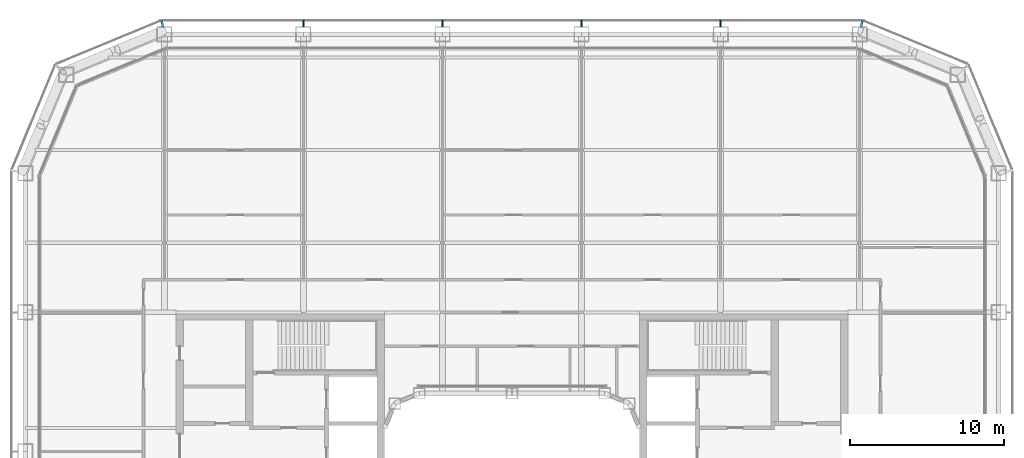
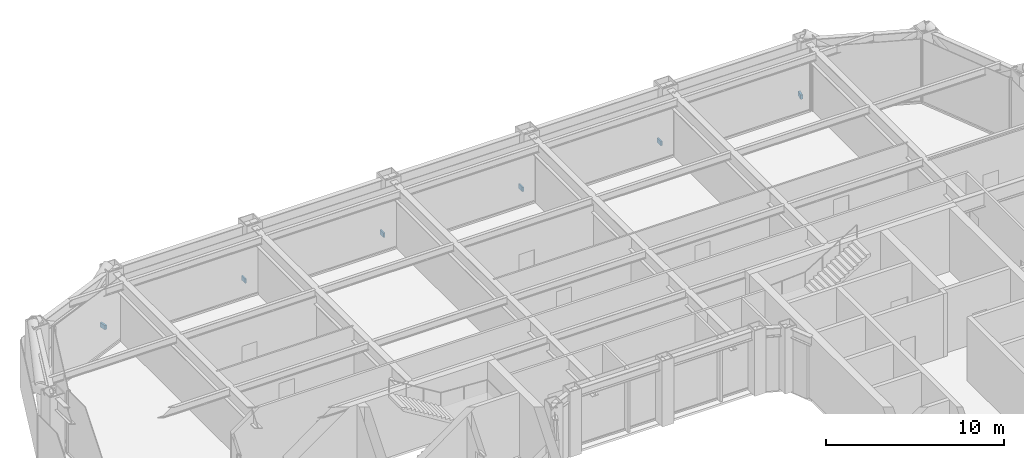
# One storey, part 22 of 27: 6 discrete accessories.
"""IFC4 building model written with IfcOpenShell, lengths in metres."""

from ifc_helpers import new_model, si_unit, direction, frame, origin, origin_2d, place, context, subcontext, project, spatial, rectangle, extrude, material, type_object, element, save


model = new_model("IFC4")

# Units and contexts
model_context = context("Model", 3, precision=1e-05, world=origin(), true_north=direction((0.0, 1.0)))
body_context = subcontext(model_context, "Body", "Model", "MODEL_VIEW")
ifc_project = project(units=[si_unit("LENGTHUNIT", "METRE"), si_unit("AREAUNIT", "SQUARE_METRE"), si_unit("VOLUMEUNIT", "CUBIC_METRE"), si_unit("PLANEANGLEUNIT", "RADIAN"), si_unit("MASSUNIT", "GRAM", prefix="KILO")], contexts=[model_context])

# Site, building, storey
site_placement = place(None, origin())
site = spatial("IfcSite", under=ifc_project, at=site_placement, CompositionType="ELEMENT")
building_placement = place(site_placement, origin())
building = spatial("IfcBuilding", under=site, at=building_placement, Name="Siwar Civic Tower", CompositionType="ELEMENT")
storey_placement = place(building_placement, frame((0.0, 0.0, 53.699951171875)))
storey = spatial("IfcBuildingStorey", under=building, at=storey_placement, Name="L11", CompositionType="ELEMENT", Elevation=53.699951171875)

# Discrete accessories
ifc_material = material(Name="Stainless steel 316", Category="steel")
discrete_accessory_type = type_object("IfcDiscreteAccessoryType", Name="ENV-BRACKET", PredefinedType="BRACKET", material=ifc_material)
for number, where, z_axis, x_axis, name in (
    (1, (13.5, 32.18994140625, -0.14990234375), (0.0, 0.0, 1.0), (0.0, 1.0, 0.0), "Bracket outer skin joint N-01"),
    (2, (4.5, 32.18994140625, -0.14990234375), (0.0, 0.0, 1.0), (0.0, 1.0, 0.0), "Bracket outer skin joint N-02"),
    (3, (-4.5, 32.18994140625, -0.14990234375), (0.0, 0.0, 1.0), (0.0, 1.0, 0.0), "Bracket outer skin joint N-03"),
    (4, (-13.5, 32.18994140625, -0.14990234375), (0.0, 0.0, 1.0), (0.0, 1.0, 0.0), "Bracket outer skin joint N-04"),
):
    element("IfcDiscreteAccessory", number, at=place(storey_placement, frame(where, z_axis=z_axis, x_axis=x_axis)), inside=storey, type_object=discrete_accessory_type, Name=name, PredefinedType="BRACKET", context=body_context, shape_type="SweptSolid", body=[
        extrude(rectangle(XDim=0.419921875, YDim=0.10009765625, at=origin_2d()), origin(), (0.0, 0.0, 1.0), 0.300048828125),
    ])
for number, where, z_axis, x_axis, name in (
    (5, (22.63720703125, 32.190185546875, -0.14990234375), (0.0, 0.0, 1.0), (0.195090322016, 0.980785280403, 0.0), "Bracket outer skin joint V06"),
    (6, (-22.63720703125, 32.190185546875, -0.14990234375), (0.0, 0.0, 1.0), (-0.195090322016, 0.980785280403, 0.0), "Bracket outer skin joint V07"),
):
    element("IfcDiscreteAccessory", number, at=place(storey_placement, frame(where, z_axis=z_axis, x_axis=x_axis)), inside=storey, type_object=discrete_accessory_type, Name=name, PredefinedType="BRACKET", context=body_context, shape_type="SweptSolid", body=[
        extrude(rectangle(XDim=0.427734375, YDim=0.13720703125, at=origin_2d()), origin(), (0.0, 0.0, 1.0), 0.300048828125),
    ])

save(model, "model.ifc")
